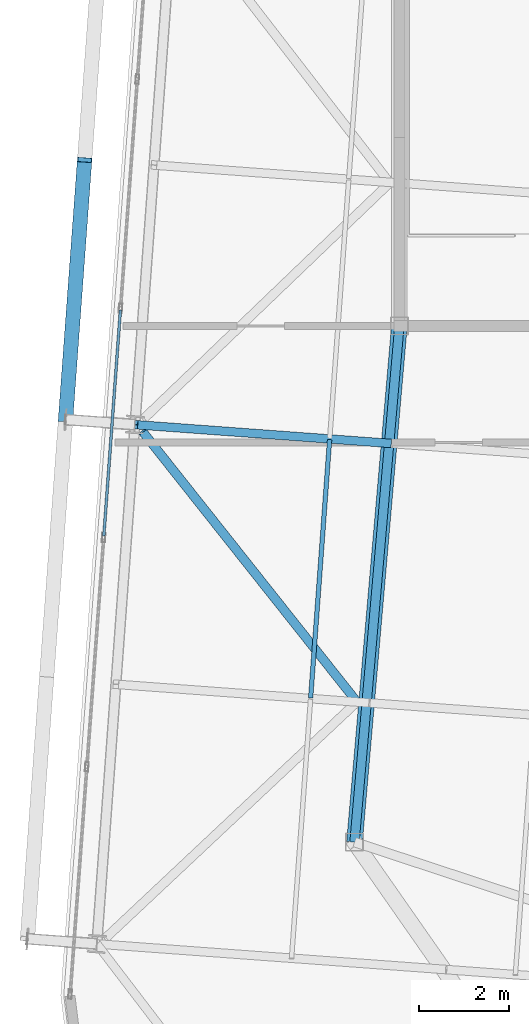
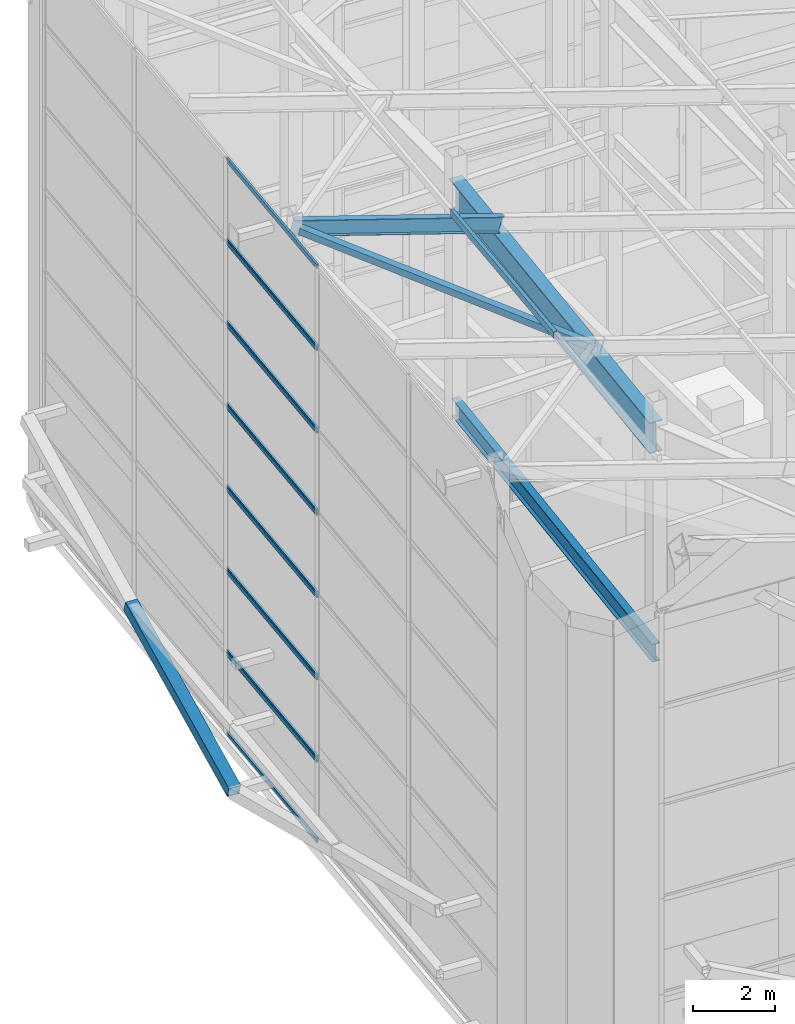
# One storey, part 14 of 56: 18 members, 2 beams, 7 elements without a shape of their own.
"""IFC4 building model written with IfcOpenShell, lengths in metres."""

from ifc_helpers import new_model, si_unit, direction, frame, origin, origin_2d, place, context, subcontext, project, spatial, hollow_rectangle, i_section, extrude, source, transform, mapped, material, layer, layer_set, material_profile, profile_set, type_object, element, aggregate, save


model = new_model("IFC4")

# Units and contexts
model_context = context("Model", 3, precision=1e-05, world=origin(), true_north=direction((0.0, 1.0)))
body_context = subcontext(model_context, "Body", "Model", "MODEL_VIEW")
ifc_project = project(units=[si_unit("LENGTHUNIT", "METRE"), si_unit("AREAUNIT", "SQUARE_METRE"), si_unit("VOLUMEUNIT", "CUBIC_METRE"), si_unit("PLANEANGLEUNIT", "RADIAN"), si_unit("MASSUNIT", "GRAM", prefix="KILO")], contexts=[model_context])

# Site, building, storey
site_placement = place(None, origin())
site = spatial("IfcSite", under=ifc_project, at=site_placement, CompositionType="ELEMENT")
building_placement = place(site_placement, origin())
building = spatial("IfcBuilding", under=site, at=building_placement, Name="Taldren Reach Tower", CompositionType="ELEMENT")
storey_placement = place(building_placement, frame((0.0, 0.0, 253.050048828125)))
storey = spatial("IfcBuildingStorey", under=building, at=storey_placement, Name="L77", CompositionType="ELEMENT", Elevation=253.050048828125)

# Beams
ifc_material_1 = material(Name="Steel Gr 350 (350PLUS)", Category="steel")
ifc_material_profile_1 = material_profile(ifc_material_1, i_section(OverallWidth=0.208984375, OverallDepth=0.532958984375, WebThickness=0.01025390625, FlangeThickness=0.015625, at=origin_2d()), Name="530UB92.4")
ifc_profile_set_1 = profile_set([ifc_material_profile_1], Name="Steel Gr 350 (350PLUS)")
beam_type_1 = type_object("IfcBeamType", Name="BM-UB530A", PredefinedType="BEAM", material=ifc_profile_set_1)
shared_shape_1 = source(origin(), body_context, "Body", "SweptSolid", [
    extrude(i_section(OverallWidth=0.208984375, OverallDepth=0.532958984375, WebThickness=0.01025390625, FlangeThickness=0.015625, at=origin_2d()), origin(), (0.0, 0.0, 1.0), 11.54345703125),
])
beam_1_placement = place(storey_placement, frame((19.0, 24.0, 7.800048828125), z_axis=(-0.086629616365, -0.996240588196, 0.0), x_axis=(0.996240588196, -0.086629616365, 0.0)))
element("IfcBeam", 1, at=beam_1_placement, inside=storey, type_object=beam_type_1, Name="Crown interior mega-column lateral tie MC-C1-MC-SW", PredefinedType="BEAM", context=body_context, shape_type="MappedRepresentation", body=[
    mapped(shared_shape_1, transform((0.0, 0.0, 0.0), scale=1.0)),
])
ifc_material_profile_2 = material_profile(ifc_material_1, i_section(OverallWidth=0.35009765625, OverallDepth=0.916015625, WebThickness=0.013916015625, FlangeThickness=0.028076171875, at=origin_2d()), Name="900WB257")
ifc_profile_set_2 = profile_set([ifc_material_profile_2], Name="Steel Gr 350 (350PLUS)")
beam_type_2 = type_object("IfcBeamType", Name="BM-WB900", PredefinedType="BEAM", material=ifc_profile_set_2)
shared_shape_2 = source(origin(), body_context, "Body", "SweptSolid", [
    extrude(i_section(OverallWidth=0.35009765625, OverallDepth=0.916015625, WebThickness=0.013916015625, FlangeThickness=0.028076171875, at=origin_2d()), origin(), (0.0, 0.0, 1.0), 11.54345703125),
])
beam_2_placement = place(storey_placement, frame((18.0, 12.5, 14.218505859375), z_axis=(0.086628974583, 0.996233207708, -0.003849236664), x_axis=(-0.996240588196, 0.086629616365, 0.0)))
element("IfcBeam", 2, at=beam_2_placement, inside=storey, type_object=beam_type_2, Name="Crown transverse portal girder PF1-2", PredefinedType="BEAM", context=body_context, shape_type="MappedRepresentation", body=[
    mapped(shared_shape_2, transform((0.0, 0.0, 0.0), scale=1.0)),
])

# Members
ifc_material_profile_3 = material_profile(ifc_material_1, i_section(OverallWidth=0.19091796875, OverallDepth=0.4599609375, WebThickness=0.010009765625, FlangeThickness=0.01611328125, at=origin_2d()), Name="460UB82.1")
ifc_profile_set_3 = profile_set([ifc_material_profile_3], Name="Steel Gr 350 (350PLUS)")
member_type_1 = type_object("IfcMemberType", Name="MB-RAF460", PredefinedType="RAFTER", material=ifc_profile_set_3)
shared_shape_3 = source(origin(), body_context, "Body", "SweptSolid", [
    extrude(i_section(OverallWidth=0.19091796875, OverallDepth=0.4599609375, WebThickness=0.010009765625, FlangeThickness=0.01611328125, at=origin_2d()), origin(), (0.0, 0.0, 1.0), 5.892333984375),
])
member_1_placement = place(storey_placement, frame((18.757568359375, 21.385498046875, 14.91552734375), z_axis=(-0.958697922591, 0.070396221388, 0.275576967895), x_axis=(-0.073231830371, -0.997314944749, 0.0)))
element("IfcMember", 3, at=member_1_placement, inside=storey, type_object=member_type_1, Name="Crown sloped rafter RF-3.7", PredefinedType="RAFTER", context=body_context, shape_type="MappedRepresentation", body=[
    mapped(shared_shape_3, transform((0.0, 0.0, 0.0), scale=1.0)),
])
ifc_material_2 = material(Name="Steel Gr 350 (C350L0)", Category="steel")
ifc_material_profile_4 = material_profile(ifc_material_2, hollow_rectangle(XDim=0.10009765625, YDim=0.199951171875, WallThickness=0.006103515625, at=origin_2d()), Name="200x100x6.0RHS")
ifc_profile_set_4 = profile_set([ifc_material_profile_4], Name="Steel Gr 350 (C350L0)")
member_type_2 = type_object("IfcMemberType", Name="MB-PUR200", PredefinedType="PURLIN", material=ifc_profile_set_4)
shared_shape_4 = source(origin(), body_context, "Body", "SweptSolid", [
    extrude(hollow_rectangle(XDim=0.10009765625, YDim=0.199951171875, WallThickness=0.006103515625, at=origin_2d()), origin(), (0.0, 0.0, 1.0), 5.77001953125),
])
member_2_placement = place(storey_placement, frame((17.023193359375, 15.712158203125, 15.642578125), z_axis=(0.073240468007, 0.997314310459, 0.0), x_axis=(-0.997314310459, 0.073240468007, 0.0)))
element("IfcMember", 4, at=member_2_placement, inside=storey, type_object=member_type_2, Name="Crown roof purlin PR-1.2", PredefinedType="PURLIN", context=body_context, shape_type="MappedRepresentation", body=[
    mapped(shared_shape_4, transform((0.0, 0.0, 0.0), scale=1.0)),
])
ifc_material_profile_5 = material_profile(ifc_material_2, hollow_rectangle(XDim=0.199951171875, YDim=0.199951171875, WallThickness=0.009033203125, at=origin_2d()), Name="200x200x9.0SHS")
ifc_profile_set_5 = profile_set([ifc_material_profile_5], Name="Steel Gr 350 (C350L0)")
member_type_3 = type_object("IfcMemberType", Name="BR-ROOF-200", PredefinedType="BRACE", material=ifc_profile_set_5)
shared_shape_5 = source(origin(), body_context, "Body", "SweptSolid", [
    extrude(hollow_rectangle(XDim=0.199951171875, YDim=0.199951171875, WallThickness=0.009033203125, at=origin_2d()), origin(), (0.0, 0.0, 1.0), 7.828125),
])
member_3_placement = place(storey_placement, frame((13.27783203125, 21.6474609375, 16.48779296875), z_axis=(0.609998536228, -0.769148928905, -0.190556319666), x_axis=(0.783505679437, 0.621384623474, 0.0)))
element("IfcMember", 5, at=member_3_placement, inside=storey, type_object=member_type_3, Name="Crown sloped roof wind brace RB-6", PredefinedType="BRACE", context=body_context, shape_type="MappedRepresentation", body=[
    mapped(shared_shape_5, transform((0.0, 0.0, 0.0), scale=1.0)),
])
ifc_material_3 = material(Name="Steel Gr 450 (C450L0)", Category="steel")
ifc_material_profile_6 = material_profile(ifc_material_3, hollow_rectangle(XDim=0.324951171875, YDim=0.324951171875, WallThickness=0.0126953125, at=origin_2d()), Name="325x325x12.7SHS")
ifc_profile_set_6 = profile_set([ifc_material_profile_6], Name="Steel Gr 450 (C450L0)")
member_type_4 = type_object("IfcMemberType", Name="MB-BR324", PredefinedType="BRACE", material=ifc_profile_set_6)
shared_shape_6 = source(origin(), body_context, "Body", "SweptSolid", [
    extrude(hollow_rectangle(XDim=0.324951171875, YDim=0.324951171875, WallThickness=0.0126953125, at=origin_2d()), origin(), (0.0, 0.0, 1.0), 6.10009765625),
])
member_4_placement = place(storey_placement, frame((11.562744140625, 21.913818359375, 0.219970703125), z_axis=(0.069638510717, 0.948244387595, 0.309811328425), x_axis=(-0.997314185625, 0.073242167855, 0.0)))
element("IfcMember", 6, at=member_4_placement, inside=storey, type_object=member_type_4, Name="Exoskeleton Diagrid Brace B5-W2 L77", PredefinedType="BRACE", context=body_context, shape_type="MappedRepresentation", body=[
    mapped(shared_shape_6, transform((0.0, 0.0, 0.0), scale=1.0)),
])

# Curtain wall, members
ifc_material_4 = material(Name="Aluminium and Low-E Glass Unitised System", Category="aluminium")
ifc_layer = layer(ifc_material_4, 0.159912109375)
ifc_layer_set = layer_set([ifc_layer], Name="Aluminium and Low-E Glass Unitised System")
curtain_wall_type = type_object("IfcCurtainWallType", Name="CW-SYS-8", PredefinedType="NOTDEFINED", material=ifc_layer_set)
curtain_wall_1_placement = place(storey_placement, origin())
curtain_wall_1 = element("IfcCurtainWall", 7, at=curtain_wall_1_placement, inside=storey, type_object=curtain_wall_type, Name="Unitised curtain wall CW8-L77-W", PredefinedType="NOTDEFINED")
ifc_material_5 = material(Name="Anodised Aluminium 6063-T6", Category="aluminium")
ifc_material_profile_7 = material_profile(ifc_material_5, hollow_rectangle(XDim=0.06005859375, YDim=0.135009765625, WallThickness=0.00341796875, at=origin_2d()), Name="ALU-135x60x3.5RHS")
ifc_profile_set_7 = profile_set([ifc_material_profile_7], Name="Anodised Aluminium 6063-T6")
member_type_5 = type_object("IfcMemberType", Name="CW-TRN-150", PredefinedType="USERDEFINED", material=ifc_profile_set_7)
shared_shape_7 = source(origin(), body_context, "Body", "SweptSolid", [
    extrude(hollow_rectangle(XDim=0.06005859375, YDim=0.135009765625, WallThickness=0.00341796875, at=origin_2d()), origin(), (0.0, 0.0, 1.0), 5.045166015625),
])
member_5_placement = place(storey_placement, frame((12.784912109375, 24.353271484375, 0.030029296875), z_axis=(-0.073265615485, -0.997312463367, 0.0), x_axis=(0.997312463367, -0.073265615485, 0.0)))
member_5 = element("IfcMember", 8, at=member_5_placement, type_object=member_type_5, Name="CW-8 transom 3.1", ObjectType="TRANSOM", PredefinedType="USERDEFINED", context=body_context, shape_type="MappedRepresentation", body=[
    mapped(shared_shape_7, transform((0.0, 0.0, 0.0), scale=1.0)),
])
member_6_placement = place(storey_placement, frame((12.784912109375, 24.353271484375, 2.416259765625), z_axis=(-0.073265615485, -0.997312463367, 0.0), x_axis=(0.997312463367, -0.073265615485, 0.0)))
member_6 = element("IfcMember", 9, at=member_6_placement, type_object=member_type_5, Name="CW-8 transom 3.2", ObjectType="TRANSOM", PredefinedType="USERDEFINED", context=body_context, shape_type="MappedRepresentation", body=[
    mapped(shared_shape_7, transform((0.0, 0.0, 0.0), scale=1.0)),
])
aggregate(curtain_wall_1, [member_5, member_6])

curtain_wall_2_placement = place(storey_placement, origin())
curtain_wall_2 = element("IfcCurtainWall", 10, at=curtain_wall_2_placement, inside=storey, type_object=curtain_wall_type, Name="Unitised curtain wall CW8-L77-W-T2", PredefinedType="NOTDEFINED")
member_7_placement = place(storey_placement, frame((12.784912109375, 24.353271484375, 2.476318359375), z_axis=(-0.073265615485, -0.997312463367, 0.0), x_axis=(0.997312463367, -0.073265615485, 0.0)))
member_7 = element("IfcMember", 11, at=member_7_placement, type_object=member_type_5, Name="CW-8 transom 3.1", ObjectType="TRANSOM", PredefinedType="USERDEFINED", context=body_context, shape_type="MappedRepresentation", body=[
    mapped(shared_shape_7, transform((0.0, 0.0, 0.0), scale=1.0)),
])
member_8_placement = place(storey_placement, frame((12.784912109375, 24.353271484375, 4.86279296875), z_axis=(-0.073265615485, -0.997312463367, 0.0), x_axis=(0.997312463367, -0.073265615485, 0.0)))
member_8 = element("IfcMember", 12, at=member_8_placement, type_object=member_type_5, Name="CW-8 transom 3.2", ObjectType="TRANSOM", PredefinedType="USERDEFINED", context=body_context, shape_type="MappedRepresentation", body=[
    mapped(shared_shape_7, transform((0.0, 0.0, 0.0), scale=1.0)),
])
aggregate(curtain_wall_2, [member_7, member_8])

curtain_wall_3_placement = place(storey_placement, origin())
curtain_wall_3 = element("IfcCurtainWall", 13, at=curtain_wall_3_placement, inside=storey, type_object=curtain_wall_type, Name="Unitised curtain wall CW8-L77-W-T3", PredefinedType="NOTDEFINED")
member_9_placement = place(storey_placement, frame((12.784912109375, 24.353271484375, 4.9228515625), z_axis=(-0.073265615485, -0.997312463367, 0.0), x_axis=(0.997312463367, -0.073265615485, 0.0)))
member_9 = element("IfcMember", 14, at=member_9_placement, type_object=member_type_5, Name="CW-8 transom 3.1", ObjectType="TRANSOM", PredefinedType="USERDEFINED", context=body_context, shape_type="MappedRepresentation", body=[
    mapped(shared_shape_7, transform((0.0, 0.0, 0.0), scale=1.0)),
])
member_10_placement = place(storey_placement, frame((12.784912109375, 24.353271484375, 7.30908203125), z_axis=(-0.073265615485, -0.997312463367, 0.0), x_axis=(0.997312463367, -0.073265615485, 0.0)))
member_10 = element("IfcMember", 15, at=member_10_placement, type_object=member_type_5, Name="CW-8 transom 3.2", ObjectType="TRANSOM", PredefinedType="USERDEFINED", context=body_context, shape_type="MappedRepresentation", body=[
    mapped(shared_shape_7, transform((0.0, 0.0, 0.0), scale=1.0)),
])
aggregate(curtain_wall_3, [member_9, member_10])

curtain_wall_4_placement = place(storey_placement, origin())
curtain_wall_4 = element("IfcCurtainWall", 16, at=curtain_wall_4_placement, inside=storey, type_object=curtain_wall_type, Name="Unitised curtain wall CW8-L77-W-T4", PredefinedType="NOTDEFINED")
member_11_placement = place(storey_placement, frame((12.784912109375, 24.353271484375, 7.369140625), z_axis=(-0.073265615485, -0.997312463367, 0.0), x_axis=(0.997312463367, -0.073265615485, 0.0)))
member_11 = element("IfcMember", 17, at=member_11_placement, type_object=member_type_5, Name="CW-8 transom 3.1", ObjectType="TRANSOM", PredefinedType="USERDEFINED", context=body_context, shape_type="MappedRepresentation", body=[
    mapped(shared_shape_7, transform((0.0, 0.0, 0.0), scale=1.0)),
])
member_12_placement = place(storey_placement, frame((12.784912109375, 24.353271484375, 9.755615234375), z_axis=(-0.073265615485, -0.997312463367, 0.0), x_axis=(0.997312463367, -0.073265615485, 0.0)))
member_12 = element("IfcMember", 18, at=member_12_placement, type_object=member_type_5, Name="CW-8 transom 3.2", ObjectType="TRANSOM", PredefinedType="USERDEFINED", context=body_context, shape_type="MappedRepresentation", body=[
    mapped(shared_shape_7, transform((0.0, 0.0, 0.0), scale=1.0)),
])
aggregate(curtain_wall_4, [member_11, member_12])

curtain_wall_5_placement = place(storey_placement, origin())
curtain_wall_5 = element("IfcCurtainWall", 19, at=curtain_wall_5_placement, inside=storey, type_object=curtain_wall_type, Name="Unitised curtain wall CW8-L77-W-T5", PredefinedType="NOTDEFINED")
member_13_placement = place(storey_placement, frame((12.784912109375, 24.353271484375, 9.8154296875), z_axis=(-0.073265615485, -0.997312463367, 0.0), x_axis=(0.997312463367, -0.073265615485, 0.0)))
member_13 = element("IfcMember", 20, at=member_13_placement, type_object=member_type_5, Name="CW-8 transom 3.1", ObjectType="TRANSOM", PredefinedType="USERDEFINED", context=body_context, shape_type="MappedRepresentation", body=[
    mapped(shared_shape_7, transform((0.0, 0.0, 0.0), scale=1.0)),
])
member_14_placement = place(storey_placement, frame((12.784912109375, 24.353271484375, 12.201904296875), z_axis=(-0.073265615485, -0.997312463367, 0.0), x_axis=(0.997312463367, -0.073265615485, 0.0)))
member_14 = element("IfcMember", 21, at=member_14_placement, type_object=member_type_5, Name="CW-8 transom 3.2", ObjectType="TRANSOM", PredefinedType="USERDEFINED", context=body_context, shape_type="MappedRepresentation", body=[
    mapped(shared_shape_7, transform((0.0, 0.0, 0.0), scale=1.0)),
])
aggregate(curtain_wall_5, [member_13, member_14])

curtain_wall_6_placement = place(storey_placement, origin())
curtain_wall_6 = element("IfcCurtainWall", 22, at=curtain_wall_6_placement, inside=storey, type_object=curtain_wall_type, Name="Unitised curtain wall CW8-L77-W-T6", PredefinedType="NOTDEFINED")
member_15_placement = place(storey_placement, frame((12.784912109375, 24.353271484375, 12.261962890625), z_axis=(-0.073265615485, -0.997312463367, 0.0), x_axis=(0.997312463367, -0.073265615485, 0.0)))
member_15 = element("IfcMember", 23, at=member_15_placement, type_object=member_type_5, Name="CW-8 transom 3.1", ObjectType="TRANSOM", PredefinedType="USERDEFINED", context=body_context, shape_type="MappedRepresentation", body=[
    mapped(shared_shape_7, transform((0.0, 0.0, 0.0), scale=1.0)),
])
member_16_placement = place(storey_placement, frame((12.784912109375, 24.353271484375, 14.6484375), z_axis=(-0.073265615485, -0.997312463367, 0.0), x_axis=(0.997312463367, -0.073265615485, 0.0)))
member_16 = element("IfcMember", 24, at=member_16_placement, type_object=member_type_5, Name="CW-8 transom 3.2", ObjectType="TRANSOM", PredefinedType="USERDEFINED", context=body_context, shape_type="MappedRepresentation", body=[
    mapped(shared_shape_7, transform((0.0, 0.0, 0.0), scale=1.0)),
])
aggregate(curtain_wall_6, [member_15, member_16])

curtain_wall_7_placement = place(storey_placement, origin())
curtain_wall_7 = element("IfcCurtainWall", 25, at=curtain_wall_7_placement, inside=storey, type_object=curtain_wall_type, Name="Unitised curtain wall CW8-L77-W-T7", PredefinedType="NOTDEFINED")
member_17_placement = place(storey_placement, frame((12.784912109375, 24.353271484375, 14.708251953125), z_axis=(-0.073265615485, -0.997312463367, 0.0), x_axis=(0.997312463367, -0.073265615485, 0.0)))
member_17 = element("IfcMember", 26, at=member_17_placement, type_object=member_type_5, Name="CW-8 transom 3.1", ObjectType="TRANSOM", PredefinedType="USERDEFINED", context=body_context, shape_type="MappedRepresentation", body=[
    mapped(shared_shape_7, transform((0.0, 0.0, 0.0), scale=1.0)),
])
member_18_placement = place(storey_placement, frame((12.784912109375, 24.353271484375, 17.0947265625), z_axis=(-0.073265615485, -0.997312463367, 0.0), x_axis=(0.997312463367, -0.073265615485, 0.0)))
member_18 = element("IfcMember", 27, at=member_18_placement, type_object=member_type_5, Name="CW-8 transom 3.2", ObjectType="TRANSOM", PredefinedType="USERDEFINED", context=body_context, shape_type="MappedRepresentation", body=[
    mapped(shared_shape_7, transform((0.0, 0.0, 0.0), scale=1.0)),
])
aggregate(curtain_wall_7, [member_17, member_18])

save(model, "model.ifc")
